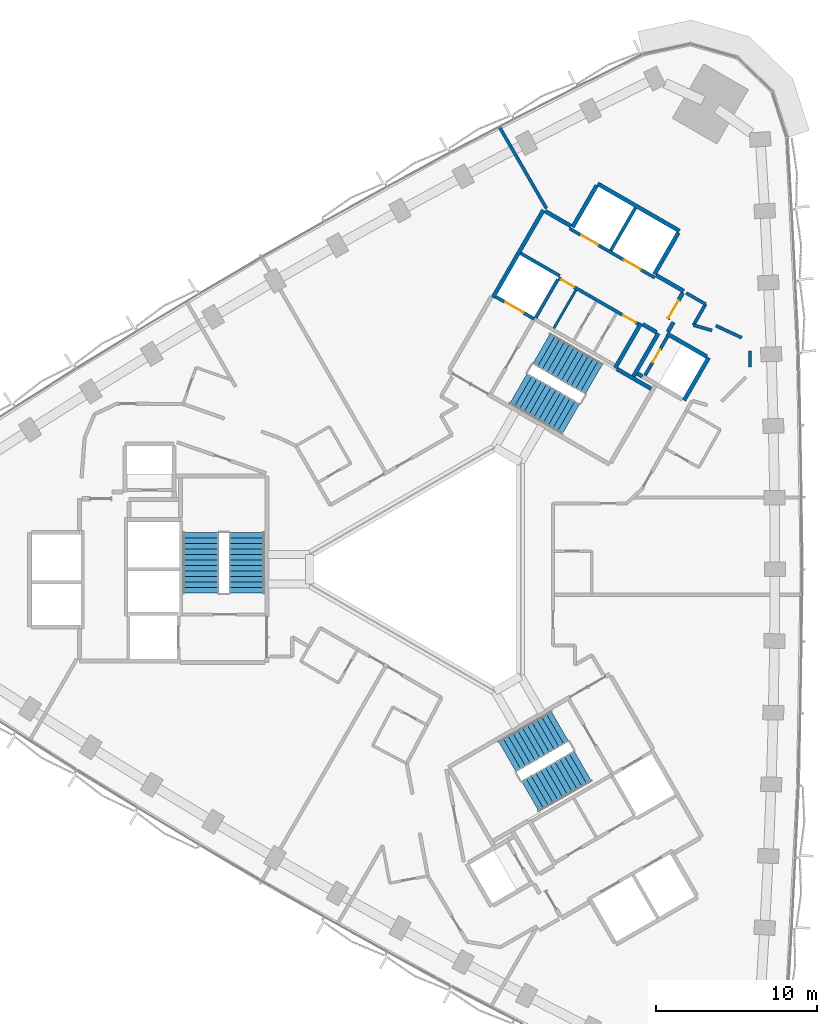
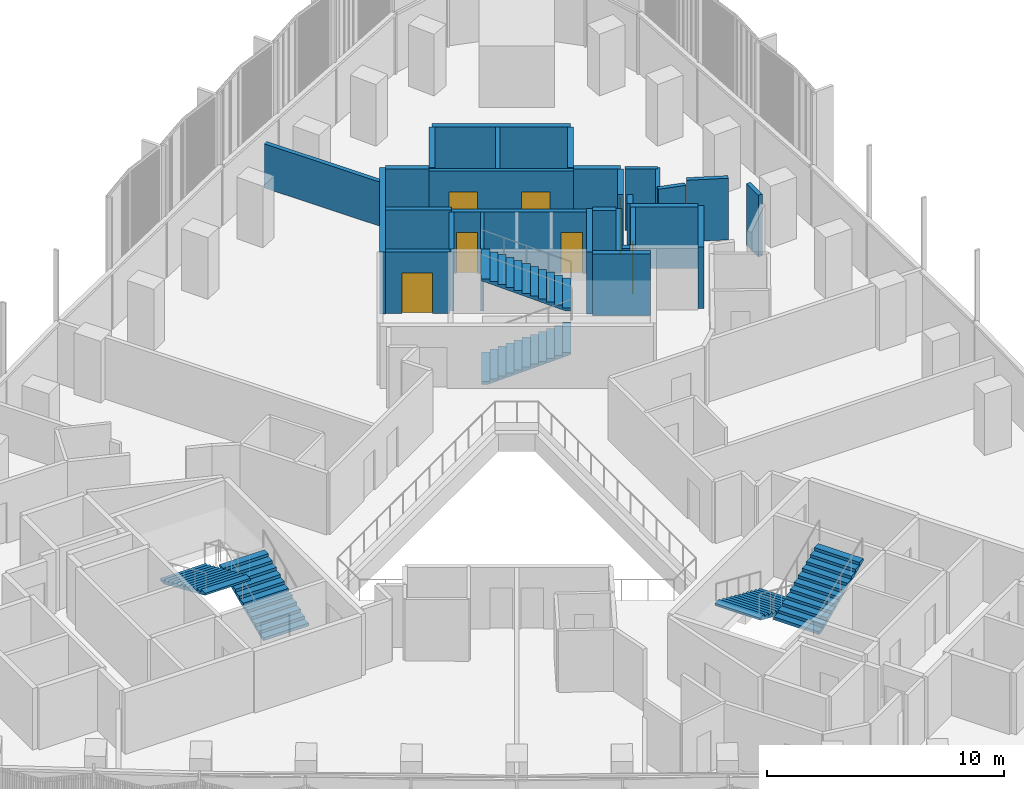
# One storey, part 11 of 15: 29 walls, 7 doors, 6 stair flights, 7 openings, 3 elements without a shape of their own.
"""IFC4 building model written with IfcOpenShell, lengths in metres."""

from ifc_helpers import new_model, si_unit, direction, frame, frame_2d, origin, place, context, subcontext, project, spatial, polyline, rectangle, outline, extrude, material, layer, layer_set, type_object, element, fill, aggregate, save


model = new_model("IFC4")

# Units and contexts
model_context = context("Model", 3, precision=1e-05, world=origin(), true_north=direction((0.0, 1.0)))
body_context = subcontext(model_context, "Body", "Model", "MODEL_VIEW")
ifc_project = project(units=[si_unit("LENGTHUNIT", "METRE"), si_unit("AREAUNIT", "SQUARE_METRE"), si_unit("VOLUMEUNIT", "CUBIC_METRE"), si_unit("PLANEANGLEUNIT", "RADIAN"), si_unit("MASSUNIT", "GRAM", prefix="KILO")], contexts=[model_context])

# Site, building, storey
site_placement = place(None, origin())
site = spatial("IfcSite", under=ifc_project, at=site_placement, CompositionType="ELEMENT")
building_placement = place(site_placement, origin())
building = spatial("IfcBuilding", under=site, at=building_placement, Name="Tamra Quay Hotel Tower", CompositionType="ELEMENT")
storey_placement = place(building_placement, frame((0.0, 0.0, 111.800048828125)))
storey = spatial("IfcBuildingStorey", under=building, at=storey_placement, Name="L27", CompositionType="ELEMENT", Elevation=111.800048828125)

# Wall, openings, doors
ifc_material_1 = material(Name="Concrete M70", Category="concrete")
ifc_layer_1 = layer(ifc_material_1, 0.199951171875)
ifc_layer_set_1 = layer_set([ifc_layer_1], Name="Concrete M70 core wall 200")
wall_type_1 = type_object("IfcWallType", Name="Concrete M70 core wall 200", PredefinedType="SHEAR", material=ifc_layer_set_1)
wall_1_placement = place(storey_placement, frame((13.209716796875, 18.07958984375, 0.0), z_axis=(0.0, 0.0, 1.0), x_axis=(-0.866030299012, 0.499991521122, 0.0)))
wall_1 = element("IfcWall", 1, at=wall_1_placement, inside=storey, type_object=wall_type_1, Name="CW2", PredefinedType="SHEAR", context=body_context, shape_type="SweptSolid", body=[
    extrude(rectangle(XDim=6.10009765625, YDim=0.199951171875, at=frame_2d((3.050048828125, 0.0))), origin(), (0.0, 0.0, 1.0), 3.175048828125),
])
opening_1_placement = place(wall_1_placement, frame((1.0, 0.0, 0.0)))
opening_1 = element("IfcOpeningElement", 2, at=opening_1_placement, cuts=wall_1, Name="Opening LD", PredefinedType="OPENING", context=body_context, shape_type="SweptSolid", body=[
    extrude(rectangle(XDim=1.199951171875, YDim=2.10009765625, at=frame_2d((0.60009765625, 1.050048828125))), frame((0.0, 0.10986328125, 0.0), z_axis=(0.0, -1.0, 0.0), x_axis=(1.0, 0.0, 0.0)), (0.0, 0.0, 1.0), 0.219970703125),
])
opening_2_placement = place(wall_1_placement, frame((4.05029296875, 0.0, 0.0)))
opening_2 = element("IfcOpeningElement", 3, at=opening_2_placement, cuts=wall_1, Name="Opening LD", PredefinedType="OPENING", context=body_context, shape_type="SweptSolid", body=[
    extrude(rectangle(XDim=1.199951171875, YDim=2.10009765625, at=frame_2d((0.60009765625, 1.050048828125))), frame((0.0, 0.10986328125, 0.0), z_axis=(0.0, -1.0, 0.0), x_axis=(1.0, 0.0, 0.0)), (0.0, 0.0, 1.0), 0.219970703125),
])
ifc_material_2 = material(Name="Landing door LD 1200 double door sliding")
door_type_1 = type_object("IfcDoorType", Name="Landing door LD 1200 double door sliding", OperationType="DOUBLE_DOOR_SLIDING", PredefinedType="DOOR", material=ifc_material_2)
door_1_placement = place(opening_1_placement, origin())
door_1 = element("IfcDoor", 4, at=door_1_placement, inside=storey, type_object=door_type_1, Name="LD", OperationType="DOUBLE_DOOR_SLIDING", OverallHeight=2.10009765625, OverallWidth=1.199951171875, PredefinedType="DOOR", context=body_context, shape_type="SweptSolid", body=[
    extrude(rectangle(XDim=1.199951171875, YDim=2.10009765625, at=frame_2d((0.60009765625, 1.050048828125))), frame((0.0, 0.02490234375, 0.0), z_axis=(0.0, -1.0, 0.0), x_axis=(1.0, 0.0, 0.0)), (0.0, 0.0, 1.0), 0.050048828125),
])
fill(opening_1, door_1)
door_2_placement = place(opening_2_placement, origin())
door_2 = element("IfcDoor", 5, at=door_2_placement, inside=storey, type_object=door_type_1, Name="LD", OperationType="DOUBLE_DOOR_SLIDING", OverallHeight=2.10009765625, OverallWidth=1.199951171875, PredefinedType="DOOR", context=body_context, shape_type="SweptSolid", body=[
    extrude(rectangle(XDim=1.199951171875, YDim=2.10009765625, at=frame_2d((0.60009765625, 1.050048828125))), frame((0.0, 0.02490234375, 0.0), z_axis=(0.0, -1.0, 0.0), x_axis=(1.0, 0.0, 0.0)), (0.0, 0.0, 1.0), 0.050048828125),
])
fill(opening_2, door_2)

wall_2_placement = place(storey_placement, frame((12.18505859375, 15.20703125, 0.0), z_axis=(0.0, 0.0, 1.0), x_axis=(-0.866020080793, 0.500009219579, 0.0)))
wall_2 = element("IfcWall", 6, at=wall_2_placement, inside=storey, type_object=wall_type_1, Name="CW2", PredefinedType="SHEAR", context=body_context, shape_type="SweptSolid", body=[
    extrude(rectangle(XDim=5.69921875, YDim=0.199951171875, at=frame_2d((2.849609375, 0.0))), origin(), (0.0, 0.0, 1.0), 3.175048828125),
])
opening_3_placement = place(wall_2_placement, frame((0.174072265625, 0.0, 0.0)))
opening_3 = element("IfcOpeningElement", 7, at=opening_3_placement, cuts=wall_2, Name="Opening D2", PredefinedType="OPENING", context=body_context, shape_type="SweptSolid", body=[
    extrude(rectangle(XDim=0.89990234375, YDim=2.10009765625, at=frame_2d((0.449951171875, 1.050048828125))), frame((0.0, 0.10986328125, 0.0), z_axis=(0.0, -1.0, 0.0), x_axis=(1.0, 0.0, 0.0)), (0.0, 0.0, 1.0), 0.219970703125),
])
opening_4_placement = place(wall_2_placement, frame((4.59912109375, 0.0, 0.0)))
opening_4 = element("IfcOpeningElement", 8, at=opening_4_placement, cuts=wall_2, Name="Opening D2", PredefinedType="OPENING", context=body_context, shape_type="SweptSolid", body=[
    extrude(rectangle(XDim=0.89990234375, YDim=2.10009765625, at=frame_2d((0.449951171875, 1.050048828125))), frame((0.0, 0.10986328125, 0.0), z_axis=(0.0, -1.0, 0.0), x_axis=(1.0, 0.0, 0.0)), (0.0, 0.0, 1.0), 0.219970703125),
])
ifc_material_3 = material(Name="Core door D2 900x2100 LH")
door_type_2 = type_object("IfcDoorType", Name="Core door D2 900x2100 LH", OperationType="NOTDEFINED", PredefinedType="DOOR", material=ifc_material_3)
door_3_placement = place(opening_3_placement, origin())
door_3 = element("IfcDoor", 9, at=door_3_placement, inside=storey, type_object=door_type_2, Name="D2", OperationType="SINGLE_SWING_LEFT", OverallHeight=2.10009765625, OverallWidth=0.89990234375, PredefinedType="DOOR", context=body_context, shape_type="SweptSolid", body=[
    extrude(rectangle(XDim=0.89990234375, YDim=2.10009765625, at=frame_2d((0.449951171875, 1.050048828125))), frame((0.0, 0.02490234375, 0.0), z_axis=(0.0, -1.0, 0.0), x_axis=(1.0, 0.0, 0.0)), (0.0, 0.0, 1.0), 0.050048828125),
])
fill(opening_3, door_3)
ifc_material_4 = material(Name="Core door D2 900x2100 RH")
door_type_3 = type_object("IfcDoorType", Name="Core door D2 900x2100 RH", OperationType="NOTDEFINED", PredefinedType="DOOR", material=ifc_material_4)
door_4_placement = place(opening_4_placement, origin())
door_4 = element("IfcDoor", 10, at=door_4_placement, inside=storey, type_object=door_type_3, Name="D2", OperationType="SINGLE_SWING_RIGHT", OverallHeight=2.10009765625, OverallWidth=0.89990234375, PredefinedType="DOOR", context=body_context, shape_type="SweptSolid", body=[
    extrude(rectangle(XDim=0.89990234375, YDim=2.10009765625, at=frame_2d((0.449951171875, 1.050048828125))), frame((0.0, 0.02490234375, 0.0), z_axis=(0.0, -1.0, 0.0), x_axis=(1.0, 0.0, 0.0)), (0.0, 0.0, 1.0), 0.050048828125),
])
fill(opening_4, door_4)

# Wall
wall_3_placement = place(storey_placement, frame((10.48876953125, 19.76708984375, 0.0), z_axis=(0.0, 0.0, 1.0), x_axis=(0.499946628782, 0.866056215479, 0.0)))
element("IfcWall", 11, at=wall_3_placement, inside=storey, type_object=wall_type_1, Name="CW2", PredefinedType="SHEAR", context=body_context, shape_type="SweptSolid", body=[
    extrude(rectangle(XDim=3.048095703125, YDim=0.199951171875, at=frame_2d((1.52392578125, 0.0))), origin(), (0.0, 0.0, 1.0), 3.175048828125),
])

# Wall, opening, door
wall_4_placement = place(storey_placement, frame((14.0078125, 14.442138671875, 0.0), z_axis=(0.0, 0.0, 1.0), x_axis=(-0.499986818241, -0.866033014143, 0.0)))
wall_4 = element("IfcWall", 12, at=wall_4_placement, inside=storey, type_object=wall_type_1, Name="CW2", PredefinedType="SHEAR", context=body_context, shape_type="SweptSolid", body=[
    extrude(rectangle(XDim=2.7978515625, YDim=0.199951171875, at=frame_2d((1.39892578125, 0.0))), origin(), (0.0, 0.0, 1.0), 3.175048828125),
])
opening_5_placement = place(wall_4_placement, frame((0.948974609375, 0.0, 0.0)))
opening_5 = element("IfcOpeningElement", 13, at=opening_5_placement, cuts=wall_4, Name="Opening D1", PredefinedType="OPENING", context=body_context, shape_type="SweptSolid", body=[
    extrude(rectangle(XDim=0.89990234375, YDim=2.10009765625, at=frame_2d((0.449951171875, 1.050048828125))), frame((0.0, 0.10986328125, 0.0), z_axis=(0.0, -1.0, 0.0), x_axis=(1.0, 0.0, 0.0)), (0.0, 0.0, 1.0), 0.219970703125),
])
ifc_material_5 = material(Name="Core door D1 900x2100 LH")
door_type_4 = type_object("IfcDoorType", Name="Core door D1 900x2100 LH", OperationType="NOTDEFINED", PredefinedType="DOOR", material=ifc_material_5)
door_5_placement = place(opening_5_placement, origin())
door_5 = element("IfcDoor", 14, at=door_5_placement, inside=storey, type_object=door_type_4, Name="D1", OperationType="SINGLE_SWING_LEFT", OverallHeight=2.10009765625, OverallWidth=0.89990234375, PredefinedType="DOOR", context=body_context, shape_type="SweptSolid", body=[
    extrude(rectangle(XDim=0.89990234375, YDim=2.10009765625, at=frame_2d((0.449951171875, 1.050048828125))), frame((0.0, 0.02490234375, 0.0), z_axis=(0.0, -1.0, 0.0), x_axis=(1.0, 0.0, 0.0)), (0.0, 0.0, 1.0), 0.050048828125),
])
fill(opening_5, door_5)

# Wall
wall_5_placement = place(storey_placement, frame((7.199462890625, 17.969970703125, 0.0), z_axis=(0.0, 0.0, 1.0), x_axis=(-0.499968400327, -0.866043647095, 0.0)))
element("IfcWall", 15, at=wall_5_placement, inside=storey, type_object=wall_type_1, Name="CW2", PredefinedType="SHEAR", context=body_context, shape_type="SweptSolid", body=[
    extrude(rectangle(XDim=2.749755859375, YDim=0.199951171875, at=frame_2d((1.375, 0.0))), origin(), (0.0, 0.0, 1.0), 3.175048828125),
])

# Wall, opening, door
wall_6_placement = place(storey_placement, frame((5.72509765625, 15.530517578125, 0.0), z_axis=(0.0, 0.0, 1.0), x_axis=(-0.866037306777, 0.499979382845, 0.0)))
wall_6 = element("IfcWall", 16, at=wall_6_placement, inside=storey, type_object=wall_type_1, Name="CW2", PredefinedType="SHEAR", context=body_context, shape_type="SweptSolid", body=[
    extrude(rectangle(XDim=2.74169921875, YDim=0.199951171875, at=frame_2d((1.370849609375, 0.0))), origin(), (0.0, 0.0, 1.0), 3.175048828125),
])
opening_6_placement = place(wall_6_placement, frame((0.742919921875, 0.0, 0.0)))
opening_6 = element("IfcOpeningElement", 17, at=opening_6_placement, cuts=wall_6, Name="Opening LD", PredefinedType="OPENING", context=body_context, shape_type="SweptSolid", body=[
    extrude(rectangle(XDim=1.300048828125, YDim=2.10009765625, at=frame_2d((0.64990234375, 1.050048828125))), frame((0.0, 0.10986328125, 0.0), z_axis=(0.0, -1.0, 0.0), x_axis=(1.0, 0.0, 0.0)), (0.0, 0.0, 1.0), 0.219970703125),
])
ifc_material_6 = material(Name="Landing door LD 1300 sliding to right")
door_type_5 = type_object("IfcDoorType", Name="Landing door LD 1300 sliding to right", OperationType="NOTDEFINED", PredefinedType="DOOR", material=ifc_material_6)
door_6_placement = place(opening_6_placement, origin())
door_6 = element("IfcDoor", 18, at=door_6_placement, inside=storey, type_object=door_type_5, Name="LD", OperationType="SLIDING_TO_RIGHT", OverallHeight=2.10009765625, OverallWidth=1.300048828125, PredefinedType="DOOR", context=body_context, shape_type="SweptSolid", body=[
    extrude(rectangle(XDim=1.300048828125, YDim=2.10009765625, at=frame_2d((0.64990234375, 1.050048828125))), frame((0.0, 0.02490234375, 0.0), z_axis=(0.0, -1.0, 0.0), x_axis=(1.0, 0.0, 0.0)), (0.0, 0.0, 1.0), 0.050048828125),
])
fill(opening_6, door_6)

# Walls
wall_7_placement = place(storey_placement, frame((4.900634765625, 19.5859375, 0.0), z_axis=(0.0, 0.0, 1.0), x_axis=(0.866022890907, -0.500004352405, 0.0)))
element("IfcWall", 19, at=wall_7_placement, inside=storey, type_object=wall_type_1, Name="CW2", PredefinedType="SHEAR", context=body_context, shape_type="SweptSolid", body=[
    extrude(rectangle(XDim=2.798828125, YDim=0.199951171875, at=frame_2d((1.3994140625, 0.0))), origin(), (0.0, 0.0, 1.0), 3.175048828125),
])
ifc_layer_2 = layer(ifc_material_1, 0.25)
ifc_layer_set_2 = layer_set([ifc_layer_2], Name="Concrete M70 core wall 250")
wall_type_2 = type_object("IfcWallType", Name="Concrete M70 core wall 250", PredefinedType="SHEAR", material=ifc_layer_set_2)
wall_8_placement = place(storey_placement, frame((3.178955078125, 16.856201171875, 0.0), z_axis=(0.0, 0.0, 1.0), x_axis=(0.500004234368, 0.866022959057, 0.0)))
element("IfcWall", 20, at=wall_8_placement, inside=storey, type_object=wall_type_2, Name="CW1", PredefinedType="SHEAR", context=body_context, shape_type="SweptSolid", body=[
    extrude(rectangle(XDim=6.25, YDim=0.25, at=frame_2d((3.125, 0.0))), origin(), (0.0, 0.0, 1.0), 3.175048828125),
])
wall_9_placement = place(storey_placement, frame((9.672607421875, 23.9033203125, 0.0), z_axis=(0.0, 0.0, 1.0), x_axis=(0.86603616409, -0.499981362141, 0.0)))
element("IfcWall", 21, at=wall_9_placement, inside=storey, type_object=wall_type_2, Name="CW1", PredefinedType="SHEAR", context=body_context, shape_type="SweptSolid", body=[
    extrude(rectangle(XDim=5.849853515625, YDim=0.25, at=frame_2d((2.9248046875, 0.0))), origin(), (0.0, 0.0, 1.0), 3.175048828125),
])
wall_10_placement = place(storey_placement, frame((12.356689453125, 15.25244140625, 0.0), z_axis=(0.0, 0.0, 1.0), x_axis=(-0.500028443584, -0.866008981251, 0.0)))
element("IfcWall", 22, at=wall_10_placement, inside=storey, type_object=wall_type_2, Name="CW1", PredefinedType="SHEAR", context=body_context, shape_type="SweptSolid", body=[
    extrude(rectangle(XDim=3.199951171875, YDim=0.25, at=frame_2d((1.60009765625, 0.0))), origin(), (0.0, 0.0, 1.0), 3.175048828125),
])
for number, where, z_axis, x_axis, name in (
    (23, (8.12255859375, 21.21875, 0.0), (0.0, 0.0, 1.0), (0.499987686533, 0.866032512851, 0.0), "CW1"),
    (24, (14.67626953125, 20.869873046875, 0.0), (0.0, 0.0, 1.0), (-0.499987686533, -0.866032512851, 0.0), "CW1"),
):
    element("IfcWall", number, at=place(storey_placement, frame(where, z_axis=z_axis, x_axis=x_axis)), inside=storey, type_object=wall_type_2, Name=name, PredefinedType="SHEAR", context=body_context, shape_type="SweptSolid", body=[
        extrude(rectangle(XDim=2.974609375, YDim=0.25, at=frame_2d((1.4873046875, 0.0))), origin(), (0.0, 0.0, 1.0), 3.175048828125),
    ])
wall_11_placement = place(storey_placement, frame((16.552001953125, 13.118896484375, 0.0), z_axis=(0.0, 0.0, 1.0), x_axis=(-0.499978833458, -0.866037623948, 0.0)))
element("IfcWall", 25, at=wall_11_placement, inside=storey, type_object=wall_type_2, Name="CW1", PredefinedType="SHEAR", context=body_context, shape_type="SweptSolid", body=[
    extrude(rectangle(XDim=3.050048828125, YDim=0.25, at=frame_2d((1.52490234375, 0.0))), origin(), (0.0, 0.0, 1.0), 3.175048828125),
])
wall_12_placement = place(storey_placement, frame((13.962646484375, 14.61376953125, 0.0), z_axis=(0.0, 0.0, 1.0), x_axis=(0.866042235819, -0.499970844928, 0.0)))
element("IfcWall", 26, at=wall_12_placement, inside=storey, type_object=wall_type_2, Name="CW1", PredefinedType="SHEAR", context=body_context, shape_type="SweptSolid", body=[
    extrude(rectangle(XDim=2.864501953125, YDim=0.25, at=frame_2d((1.43212890625, 0.0))), origin(), (0.0, 0.0, 1.0), 3.175048828125),
])
wall_13_placement = place(storey_placement, frame((11.887939453125, 11.960693359375, 0.0), z_axis=(0.0, 0.0, 1.0), x_axis=(0.500003324108, 0.866023484601, 0.0)))
element("IfcWall", 27, at=wall_13_placement, inside=storey, type_object=wall_type_2, Name="CW1", PredefinedType="SHEAR", context=body_context, shape_type="SweptSolid", body=[
    extrude(rectangle(XDim=3.0849609375, YDim=0.25, at=frame_2d((1.54248046875, 0.0))), origin(), (0.0, 0.0, 1.0), 3.175048828125),
])
wall_14_placement = place(storey_placement, frame((10.865234375, 12.41845703125, 0.0), z_axis=(0.0, 0.0, 1.0), x_axis=(0.866026229868, -0.499998569178, 0.0)))
element("IfcWall", 28, at=wall_14_placement, inside=storey, type_object=wall_type_2, Name="CW1", PredefinedType="SHEAR", context=body_context, shape_type="SweptSolid", body=[
    extrude(rectangle(XDim=2.44921875, YDim=0.25, at=frame_2d((1.224609375, 0.0))), origin(), (0.0, 0.0, 1.0), 3.175048828125),
])
wall_15_placement = place(storey_placement, frame((13.29736328125, 18.23095703125, 0.0), z_axis=(0.0, 0.0, 1.0), x_axis=(0.866043531843, -0.499968599967, 0.0)))
element("IfcWall", 29, at=wall_15_placement, inside=storey, type_object=wall_type_2, Name="CW1", PredefinedType="SHEAR", context=body_context, shape_type="SweptSolid", body=[
    extrude(rectangle(XDim=1.974853515625, YDim=0.25, at=frame_2d((0.9873046875, 0.0))), origin(), (0.0, 0.0, 1.0), 3.175048828125),
])
wall_16_placement = place(storey_placement, frame((6.41259765625, 22.2060546875, 0.0), z_axis=(0.0, 0.0, 1.0), x_axis=(0.866016279763, -0.500015802937, 0.0)))
element("IfcWall", 30, at=wall_16_placement, inside=storey, type_object=wall_type_2, Name="CW1", PredefinedType="SHEAR", context=body_context, shape_type="SweptSolid", body=[
    extrude(rectangle(XDim=1.84912109375, YDim=0.25, at=frame_2d((0.924560546875, 0.0))), origin(), (0.0, 0.0, 1.0), 3.175048828125),
])

# Wall, opening, door
wall_17_placement = place(storey_placement, frame((14.94482421875, 17.13525390625, 0.0), z_axis=(0.0, 0.0, 1.0), x_axis=(-0.499983108224, -0.866035156036, 0.0)))
wall_17 = element("IfcWall", 31, at=wall_17_placement, inside=storey, type_object=wall_type_2, Name="CW1", PredefinedType="SHEAR", context=body_context, shape_type="SweptSolid", body=[
    extrude(rectangle(XDim=1.86474609375, YDim=0.25, at=frame_2d((0.932373046875, 0.0))), origin(), (0.0, 0.0, 1.0), 3.175048828125),
])
opening_7_placement = place(wall_17_placement, frame((0.53466796875, 0.0, 0.0)))
opening_7 = element("IfcOpeningElement", 32, at=opening_7_placement, cuts=wall_17, Name="Opening FD3", PredefinedType="OPENING", context=body_context, shape_type="SweptSolid", body=[
    extrude(rectangle(XDim=1.25, YDim=2.10009765625, at=frame_2d((0.625, 1.050048828125))), frame((0.0, 0.135009765625, 0.0), z_axis=(0.0, -1.0, 0.0), x_axis=(1.0, 0.0, 0.0)), (0.0, 0.0, 1.0), 0.27001953125),
])
ifc_material_7 = material(Name="Core door FD3 1250x2100 LH")
door_type_6 = type_object("IfcDoorType", Name="Core door FD3 1250x2100 LH", OperationType="NOTDEFINED", PredefinedType="DOOR", material=ifc_material_7)
door_7_placement = place(opening_7_placement, origin())
door_7 = element("IfcDoor", 33, at=door_7_placement, inside=storey, type_object=door_type_6, Name="FD3", OperationType="SINGLE_SWING_LEFT", OverallHeight=2.10009765625, OverallWidth=1.25, PredefinedType="DOOR", context=body_context, shape_type="SweptSolid", body=[
    extrude(rectangle(XDim=1.25, YDim=2.10009765625, at=frame_2d((0.625, 1.050048828125))), frame((0.0, 0.02490234375, 0.0), z_axis=(0.0, -1.0, 0.0), x_axis=(1.0, 0.0, 0.0)), (0.0, 0.0, 1.0), 0.050048828125),
])
fill(opening_7, door_7)

# Walls
wall_18_placement = place(storey_placement, frame((13.322021484375, 14.695068359375, 0.0), z_axis=(0.0, 0.0, 1.0), x_axis=(-0.866017078145, 0.500014420154, 0.0)))
element("IfcWall", 34, at=wall_18_placement, inside=storey, type_object=wall_type_2, Name="CW1", PredefinedType="SHEAR", context=body_context, shape_type="SweptSolid", body=[
    extrude(rectangle(XDim=0.9892578125, YDim=0.25, at=frame_2d((0.49462890625, 0.0))), origin(), (0.0, 0.0, 1.0), 3.175048828125),
])
wall_19_placement = place(storey_placement, frame((14.36767578125, 15.3154296875, 0.0), z_axis=(0.0, 0.0, 1.0), x_axis=(-0.499897359611, -0.866084655132, 0.0)))
element("IfcWall", 35, at=wall_19_placement, inside=storey, type_object=wall_type_2, Name="CW1", PredefinedType="SHEAR", context=body_context, shape_type="SweptSolid", body=[
    extrude(rectangle(XDim=0.684814453125, YDim=0.25, at=frame_2d((0.34228515625, 0.0))), origin(), (0.0, 0.0, 1.0), 3.175048828125),
])
wall_20_placement = place(storey_placement, frame((12.4326171875, 11.9638671875, 0.0), z_axis=(0.0, 0.0, 1.0), x_axis=(-0.866055875208, 0.499947218231, 0.0)))
element("IfcWall", 36, at=wall_20_placement, inside=storey, type_object=wall_type_2, Name="CW1", PredefinedType="SHEAR", context=body_context, shape_type="SweptSolid", body=[
    extrude(rectangle(XDim=0.3447265625, YDim=0.25, at=frame_2d((0.17236328125, 0.0))), origin(), (0.0, 0.0, 1.0), 3.175048828125),
])
ifc_material_8 = material(Name="Blockwork", Category="masonry")
ifc_layer_3 = layer(ifc_material_8, 0.14990234375)
ifc_layer_set_3 = layer_set([ifc_layer_3], Name="Core partition block 150")
wall_type_3 = type_object("IfcWallType", Name="Core partition block 150", PredefinedType="PARTITIONING", material=ifc_layer_set_3)
wall_21_placement = place(storey_placement, frame((6.95068359375, 14.939208984375, 0.0), z_axis=(0.0, 0.0, 1.0), x_axis=(0.50002746344, 0.86600954718, 0.0)))
element("IfcWall", 37, at=wall_21_placement, inside=storey, type_object=wall_type_3, Name="CP1", PredefinedType="PARTITIONING", context=body_context, shape_type="SweptSolid", body=[
    extrude(rectangle(XDim=2.748291015625, YDim=0.14990234375, at=frame_2d((1.3740234375, 0.0))), origin(), (0.0, 0.0, 1.0), 3.175048828125),
])
ifc_material_9 = material(Name="Partition corridor wall")
ifc_layer_4 = layer(ifc_material_9, 0.199951171875)
ifc_layer_set_4 = layer_set([ifc_layer_4], Name="Partition corridor wall")
wall_type_4 = type_object("IfcWallType", Name="Partition corridor wall", PredefinedType="PARTITIONING", material=ifc_layer_set_4)
wall_22_placement = place(storey_placement, frame((15.155517578125, 17.130126953125, 0.0), z_axis=(0.0, 0.0, 1.0), x_axis=(0.865755062894, -0.500467952093, 0.0)))
element("IfcWall", 38, at=wall_22_placement, inside=storey, type_object=wall_type_4, Name="W-C", PredefinedType="PARTITIONING", context=body_context, shape_type="SweptSolid", body=[
    extrude(rectangle(XDim=1.388916015625, YDim=0.199951171875, at=frame_2d((0.6943359375, 0.0))), origin(), (0.0, 0.0, 1.0), 3.175048828125),
])
wall_23_placement = place(storey_placement, frame((15.60888671875, 15.135986328125, 0.0), z_axis=(0.0, 0.0, 1.0), x_axis=(0.499501622561, 0.866312950993, 0.0)))
element("IfcWall", 39, at=wall_23_placement, inside=storey, type_object=wall_type_4, Name="W-C", PredefinedType="PARTITIONING", context=body_context, shape_type="SweptSolid", body=[
    extrude(rectangle(XDim=1.49951171875, YDim=0.199951171875, at=frame_2d((0.749755859375, 0.0))), origin(), (0.0, 0.0, 1.0), 3.175048828125),
])
wall_24_placement = place(storey_placement, frame((15.60888671875, 15.135986328125, 0.0), z_axis=(0.0, 0.0, 1.0), x_axis=(0.961662011825, -0.274237442763, 0.0)))
element("IfcWall", 40, at=wall_24_placement, inside=storey, type_object=wall_type_4, Name="W-C", PredefinedType="PARTITIONING", context=body_context, shape_type="SweptSolid", body=[
    extrude(rectangle(XDim=1.199951171875, YDim=0.199951171875, at=frame_2d((0.60009765625, 0.0))), origin(), (0.0, 0.0, 1.0), 3.175048828125),
])
wall_25_placement = place(storey_placement, frame((16.992919921875, 15.10302734375, 0.0), z_axis=(0.0, 0.0, 1.0), x_axis=(0.90710328714, -0.420908097403, 0.0)))
element("IfcWall", 41, at=wall_25_placement, inside=storey, type_object=wall_type_4, Name="W-C", PredefinedType="PARTITIONING", context=body_context, shape_type="SweptSolid", body=[
    extrude(rectangle(XDim=1.76513671875, YDim=0.199951171875, at=frame_2d((0.882568359375, 0.0))), origin(), (0.0, 0.0, 1.0), 3.175048828125),
])
wall_26_placement = place(storey_placement, frame((19.114990234375, 12.5439453125, 0.0), z_axis=(0.0, 0.0, 1.0), x_axis=(0.0, 1.0, 0.0)))
element("IfcWall", 42, at=wall_26_placement, inside=storey, type_object=wall_type_4, Name="W-C", PredefinedType="PARTITIONING", context=body_context, shape_type="SweptSolid", body=[
    extrude(rectangle(XDim=1.0, YDim=0.199951171875, at=frame_2d((0.5, 0.0))), origin(), (0.0, 0.0, 1.0), 3.175048828125),
])
ifc_material_10 = material(Name="Partition party wall")
ifc_layer_5 = layer(ifc_material_10, 0.199951171875)
ifc_layer_set_5 = layer_set([ifc_layer_5], Name="Partition party wall")
wall_type_5 = type_object("IfcWallType", Name="Partition party wall", PredefinedType="PARTITIONING", material=ifc_layer_set_5)
wall_27_placement = place(storey_placement, frame((3.57958984375, 27.42578125, 0.0), z_axis=(0.0, 0.0, 1.0), x_axis=(0.499815409316, -0.866131951039, 0.0)))
element("IfcWall", 43, at=wall_27_placement, inside=storey, type_object=wall_type_5, Name="W-P", PredefinedType="PARTITIONING", context=body_context, shape_type="SweptSolid", body=[
    extrude(rectangle(XDim=5.835693359375, YDim=0.199951171875, at=frame_2d((2.91796875, 0.0))), origin(), (0.0, 0.0, 1.0), 2.27490234375),
])

# Stair, stair flights
ifc_material_11 = material(Name="Exit stair 2200 24 risers 150.0 going 342")
stair_type = type_object("IfcStairType", Name="Exit stair 2200 24 risers 150.0 going 342", PredefinedType="HALF_TURN_STAIR", material=ifc_material_11)
stair_1_placement = place(storey_placement, origin())
stair_1 = element("IfcStair", 44, at=stair_1_placement, inside=storey, type_object=stair_type, Name="L27 Exit stair ST3", PredefinedType="HALF_TURN_STAIR")
ifc_material_12 = material(Name="Exit stair flight 2200 12 risers 150.0")
stair_flight_type = type_object("IfcStairFlightType", Name="Exit stair flight 2200 12 risers 150.0", PredefinedType="STRAIGHT", material=ifc_material_12)
stair_flight_1_placement = place(storey_placement, frame((-12.082275390625, -1.47998046875, 0.0), z_axis=(0.0, 0.0, 1.0), x_axis=(0.0, 1.0, 0.0)))
stair_flight_1 = element("IfcStairFlight", 45, at=stair_flight_1_placement, type_object=stair_flight_type, Name="ST3 flight 1", NumberOfRisers=12, NumberOfTreads=11, PredefinedType="STRAIGHT", RiserHeight=0.15, TreadLength=0.342, context=body_context, shape_type="SweptSolid", body=[
    extrude(outline(polyline([(0.0, 0.0), (0.0, 0.14990234375), (0.342041015625, 0.14990234375), (0.342041015625, 0.300048828125), (0.68408203125, 0.300048828125), (0.68408203125, 0.449951171875), (1.02587890625, 0.449951171875), (1.02587890625, 0.60009765625), (1.367919921875, 0.60009765625), (1.367919921875, 0.75), (1.7099609375, 0.75), (1.7099609375, 0.89990234375), (2.052001953125, 0.89990234375), (2.052001953125, 1.050048828125), (2.39404296875, 1.050048828125), (2.39404296875, 1.199951171875), (2.736083984375, 1.199951171875), (2.736083984375, 1.35009765625), (3.077880859375, 1.35009765625), (3.077880859375, 1.5), (3.419921875, 1.5), (3.419921875, 1.64990234375), (3.761962890625, 1.64990234375), (3.761962890625, 1.800048828125), (3.761962890625, 1.540771484375), (0.249267578125, 0.0), (0.0, 0.0)])), frame((0.0, 1.10009765625, 0.0), z_axis=(0.0, -1.0, 0.0), x_axis=(1.0, 0.0, 0.0)), (0.0, 0.0, 1.0), 2.199951171875),
])
stair_flight_2_placement = place(storey_placement, frame((-14.94140625, 2.281982421875, 1.800048828125), z_axis=(0.0, 0.0, 1.0), x_axis=(0.0, -1.0, 0.0)))
stair_flight_2 = element("IfcStairFlight", 46, at=stair_flight_2_placement, type_object=stair_flight_type, Name="ST3 flight 2", NumberOfRisers=12, NumberOfTreads=11, PredefinedType="STRAIGHT", RiserHeight=0.15, TreadLength=0.342, context=body_context, shape_type="SweptSolid", body=[
    extrude(outline(polyline([(0.0, 0.0), (0.0, 0.14990234375), (0.342041015625, 0.14990234375), (0.342041015625, 0.300048828125), (0.68408203125, 0.300048828125), (0.68408203125, 0.449951171875), (1.02587890625, 0.449951171875), (1.02587890625, 0.60009765625), (1.367919921875, 0.60009765625), (1.367919921875, 0.75), (1.7099609375, 0.75), (1.7099609375, 0.89990234375), (2.052001953125, 0.89990234375), (2.052001953125, 1.050048828125), (2.39404296875, 1.050048828125), (2.39404296875, 1.199951171875), (2.736083984375, 1.199951171875), (2.736083984375, 1.35009765625), (3.077880859375, 1.35009765625), (3.077880859375, 1.5), (3.419921875, 1.5), (3.419921875, 1.64990234375), (3.761962890625, 1.64990234375), (3.761962890625, 1.800048828125), (3.761962890625, 1.540771484375), (0.249267578125, 0.0), (0.0, 0.0)])), frame((0.0, 1.10009765625, 0.0), z_axis=(0.0, -1.0, 0.0), x_axis=(1.0, 0.0, 0.0)), (0.0, 0.0, 1.0), 2.199951171875),
])
aggregate(stair_1, [stair_flight_1, stair_flight_2])

stair_2_placement = place(storey_placement, origin())
stair_2 = element("IfcStair", 47, at=stair_2_placement, inside=storey, type_object=stair_type, Name="L27 Exit stair ST1", PredefinedType="HALF_TURN_STAIR")
stair_flight_3_placement = place(storey_placement, frame((4.75927734375, 11.20361328125, 0.0), z_axis=(0.0, 0.0, 1.0), x_axis=(0.866025403784, -0.5, 0.0)))
stair_flight_3 = element("IfcStairFlight", 48, at=stair_flight_3_placement, type_object=stair_flight_type, Name="ST1 flight 1", NumberOfRisers=12, NumberOfTreads=11, PredefinedType="STRAIGHT", RiserHeight=0.15, TreadLength=0.342, context=body_context, shape_type="SweptSolid", body=[
    extrude(outline(polyline([(0.0, 0.0), (0.0, 0.14990234375), (0.342041015625, 0.14990234375), (0.342041015625, 0.300048828125), (0.68408203125, 0.300048828125), (0.68408203125, 0.449951171875), (1.02587890625, 0.449951171875), (1.02587890625, 0.60009765625), (1.367919921875, 0.60009765625), (1.367919921875, 0.75), (1.7099609375, 0.75), (1.7099609375, 0.89990234375), (2.052001953125, 0.89990234375), (2.052001953125, 1.050048828125), (2.39404296875, 1.050048828125), (2.39404296875, 1.199951171875), (2.736083984375, 1.199951171875), (2.736083984375, 1.35009765625), (3.077880859375, 1.35009765625), (3.077880859375, 1.5), (3.419921875, 1.5), (3.419921875, 1.64990234375), (3.761962890625, 1.64990234375), (3.761962890625, 1.800048828125), (3.761962890625, 1.540771484375), (0.249267578125, 0.0), (0.0, 0.0)])), frame((0.0, 1.10009765625, 0.0), z_axis=(0.0, -1.0, 0.0), x_axis=(1.0, 0.0, 0.0)), (0.0, 0.0, 1.0), 2.199951171875),
])
stair_flight_4_placement = place(storey_placement, frame((9.44677734375, 11.798583984375, 1.800048828125), z_axis=(0.0, 0.0, 1.0), x_axis=(-0.866025403784, 0.5, 0.0)))
stair_flight_4 = element("IfcStairFlight", 49, at=stair_flight_4_placement, type_object=stair_flight_type, Name="ST1 flight 2", NumberOfRisers=12, NumberOfTreads=11, PredefinedType="STRAIGHT", RiserHeight=0.15, TreadLength=0.342, context=body_context, shape_type="SweptSolid", body=[
    extrude(outline(polyline([(0.0, 0.0), (0.0, 0.14990234375), (0.342041015625, 0.14990234375), (0.342041015625, 0.300048828125), (0.68408203125, 0.300048828125), (0.68408203125, 0.449951171875), (1.02587890625, 0.449951171875), (1.02587890625, 0.60009765625), (1.367919921875, 0.60009765625), (1.367919921875, 0.75), (1.7099609375, 0.75), (1.7099609375, 0.89990234375), (2.052001953125, 0.89990234375), (2.052001953125, 1.050048828125), (2.39404296875, 1.050048828125), (2.39404296875, 1.199951171875), (2.736083984375, 1.199951171875), (2.736083984375, 1.35009765625), (3.077880859375, 1.35009765625), (3.077880859375, 1.5), (3.419921875, 1.5), (3.419921875, 1.64990234375), (3.761962890625, 1.64990234375), (3.761962890625, 1.800048828125), (3.761962890625, 1.540771484375), (0.249267578125, 0.0), (0.0, 0.0)])), frame((0.0, 1.10009765625, 0.0), z_axis=(0.0, -1.0, 0.0), x_axis=(1.0, 0.0, 0.0)), (0.0, 0.0, 1.0), 2.199951171875),
])
aggregate(stair_2, [stair_flight_3, stair_flight_4])

stair_3_placement = place(storey_placement, origin())
stair_3 = element("IfcStair", 50, at=stair_3_placement, inside=storey, type_object=stair_type, Name="L27 Exit stair ST2", PredefinedType="HALF_TURN_STAIR")
stair_flight_5_placement = place(storey_placement, frame((7.322998046875, -9.7236328125, 0.0), z_axis=(0.0, 0.0, 1.0), x_axis=(-0.866025403784, -0.5, 0.0)))
stair_flight_5 = element("IfcStairFlight", 51, at=stair_flight_5_placement, type_object=stair_flight_type, Name="ST2 flight 1", NumberOfRisers=12, NumberOfTreads=11, PredefinedType="STRAIGHT", RiserHeight=0.15, TreadLength=0.342, context=body_context, shape_type="SweptSolid", body=[
    extrude(outline(polyline([(0.0, 0.0), (0.0, 0.14990234375), (0.342041015625, 0.14990234375), (0.342041015625, 0.300048828125), (0.68408203125, 0.300048828125), (0.68408203125, 0.449951171875), (1.02587890625, 0.449951171875), (1.02587890625, 0.60009765625), (1.367919921875, 0.60009765625), (1.367919921875, 0.75), (1.7099609375, 0.75), (1.7099609375, 0.89990234375), (2.052001953125, 0.89990234375), (2.052001953125, 1.050048828125), (2.39404296875, 1.050048828125), (2.39404296875, 1.199951171875), (2.736083984375, 1.199951171875), (2.736083984375, 1.35009765625), (3.077880859375, 1.35009765625), (3.077880859375, 1.5), (3.419921875, 1.5), (3.419921875, 1.64990234375), (3.761962890625, 1.64990234375), (3.761962890625, 1.800048828125), (3.761962890625, 1.540771484375), (0.249267578125, 0.0), (0.0, 0.0)])), frame((0.0, 1.10009765625, 0.0), z_axis=(0.0, -1.0, 0.0), x_axis=(1.0, 0.0, 0.0)), (0.0, 0.0, 1.0), 2.199951171875),
])
stair_flight_6_placement = place(storey_placement, frame((5.494384765625, -14.08056640625, 1.800048828125), z_axis=(0.0, 0.0, 1.0), x_axis=(0.866025403784, 0.5, 0.0)))
stair_flight_6 = element("IfcStairFlight", 52, at=stair_flight_6_placement, type_object=stair_flight_type, Name="ST2 flight 2", NumberOfRisers=12, NumberOfTreads=11, PredefinedType="STRAIGHT", RiserHeight=0.15, TreadLength=0.342, context=body_context, shape_type="SweptSolid", body=[
    extrude(outline(polyline([(0.0, 0.0), (0.0, 0.14990234375), (0.342041015625, 0.14990234375), (0.342041015625, 0.300048828125), (0.68408203125, 0.300048828125), (0.68408203125, 0.449951171875), (1.02587890625, 0.449951171875), (1.02587890625, 0.60009765625), (1.367919921875, 0.60009765625), (1.367919921875, 0.75), (1.7099609375, 0.75), (1.7099609375, 0.89990234375), (2.052001953125, 0.89990234375), (2.052001953125, 1.050048828125), (2.39404296875, 1.050048828125), (2.39404296875, 1.199951171875), (2.736083984375, 1.199951171875), (2.736083984375, 1.35009765625), (3.077880859375, 1.35009765625), (3.077880859375, 1.5), (3.419921875, 1.5), (3.419921875, 1.64990234375), (3.761962890625, 1.64990234375), (3.761962890625, 1.800048828125), (3.761962890625, 1.540771484375), (0.249267578125, 0.0), (0.0, 0.0)])), frame((0.0, 1.10009765625, 0.0), z_axis=(0.0, -1.0, 0.0), x_axis=(1.0, 0.0, 0.0)), (0.0, 0.0, 1.0), 2.199951171875),
])
aggregate(stair_3, [stair_flight_5, stair_flight_6])

save(model, "model.ifc")
